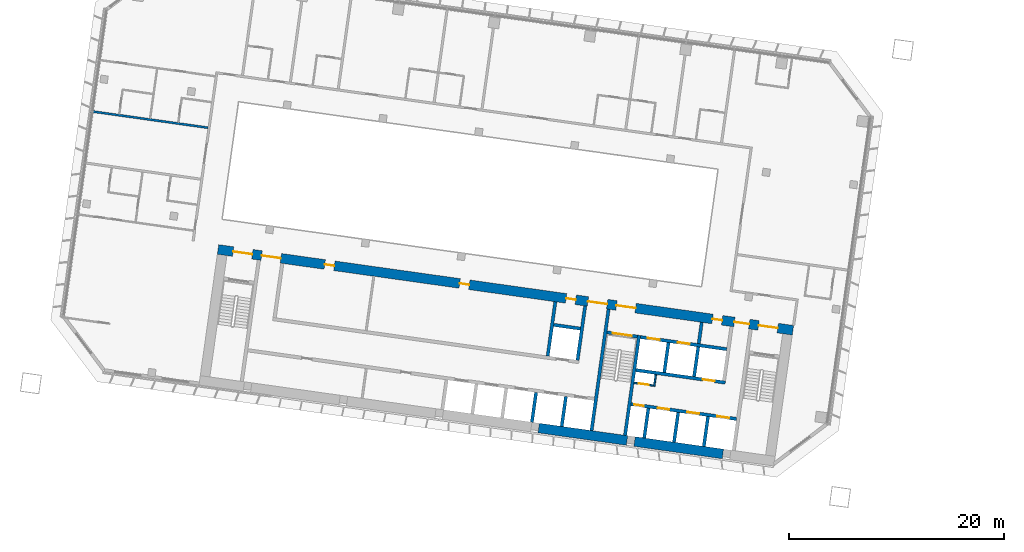
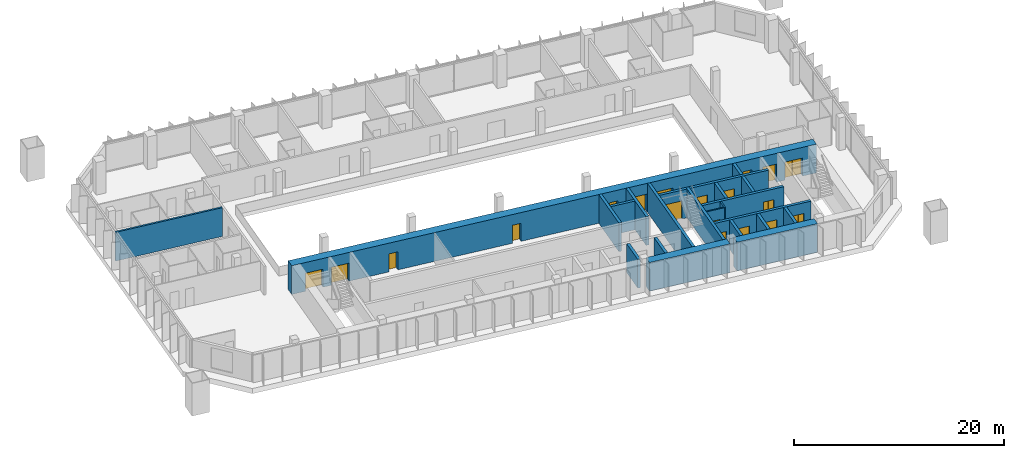
# One storey, part 15 of 24: 23 walls, 19 doors, 19 openings.
"""IFC4 building model written with IfcOpenShell, lengths in metres."""

import ifcopenshell
import ifcopenshell.guid

model = None  # the IFC model being written
_history = None  # IfcOwnerHistory: only IFC2X3 demands one
_inside = {}  # id of a spatial element -> (the spatial element, [elements in it])
_under = {}  # id of a project, library or spatial element -> (it, [spatial elements below it])
_declared = {}  # id of a project -> (the project, [libraries it declares])
_typed = {}  # id of a type object -> (the type object, [elements of that type])
_made_of = {}  # id of a material, layer set ... -> (it, [elements and type objects made of it])


def new_model(schema):
    """Start an empty IFC model of exactly this schema.

    Asked for "IFC4X3", IfcOpenShell would pick the latest addendum, in which some entities
    have other attributes; the version numbers below select the first issue.
    IFC2X3 requires an IfcOwnerHistory on every rooted entity: one is made here for all.
    """
    global model, _history
    if schema == "IFC4X3":
        model = ifcopenshell.file(schema_version=(4, 3, 0, 0))
    else:
        model = ifcopenshell.file(schema=schema)
    _inside.clear()
    _under.clear()
    _declared.clear()
    _typed.clear()
    _made_of.clear()
    _history = None
    if model.schema == "IFC2X3":
        org = make("IfcOrganization", Name="unknown")
        user = make(
            "IfcPersonAndOrganization",
            ThePerson=make("IfcPerson", FamilyName="unknown"),
            TheOrganization=org,
        )
        app = make(
            "IfcApplication",
            ApplicationDeveloper=org,
            Version="unknown",
            ApplicationFullName="unknown",
            ApplicationIdentifier="unknown",
        )
        _history = make(
            "IfcOwnerHistory",
            OwningUser=user,
            OwningApplication=app,
            ChangeAction="ADDED",
            CreationDate=0,
        )
    return model


def make(cls, **values):
    """One entity of the class cls with the attributes given. An attribute that is None is left unset."""
    return model.create_entity(
        cls, **{name: value for name, value in values.items() if value is not None}
    )


def rooted(cls, **values):
    """An entity with a GlobalId (a new one), such as an element, a storey or a relation."""
    return make(cls, GlobalId=ifcopenshell.guid.new(), OwnerHistory=_history, **values)


def si_unit(unit_type, name, prefix=None):
    """IfcSIUnit, for example si_unit("LENGTHUNIT", "METRE", prefix="MILLI")."""
    return make("IfcSIUnit", UnitType=unit_type, Prefix=prefix, Name=name)


def assignment(units):
    """IfcUnitAssignment: the units of a project."""
    return None if units is None else make("IfcUnitAssignment", Units=units)


def point(xyz):
    """IfcCartesianPoint."""
    return None if xyz is None else make("IfcCartesianPoint", Coordinates=xyz)


def direction(xyz):
    """IfcDirection."""
    return None if xyz is None else make("IfcDirection", DirectionRatios=xyz)


def frame(location, z_axis=None, x_axis=None):
    """IfcAxis2Placement3D, a coordinate frame: its origin and axes. An axis left out is left unset."""
    return make(
        "IfcAxis2Placement3D",
        Location=point(location),
        Axis=direction(z_axis),
        RefDirection=direction(x_axis),
    )


def frame_2d(location, x_axis=None):
    """IfcAxis2Placement2D, a coordinate frame in the plane: its origin and x axis."""
    return make(
        "IfcAxis2Placement2D", Location=point(location), RefDirection=direction(x_axis)
    )


def origin():
    """The frame at (0, 0, 0) with its axes left unset."""
    return frame((0.0, 0.0, 0.0))


def place(relative_to, where):
    """IfcLocalPlacement: puts the frame where relative to a parent placement (None: the world)."""
    return make(
        "IfcLocalPlacement", PlacementRelTo=relative_to, RelativePlacement=where
    )


def context(
    kind, dimensions, precision=None, world=None, true_north=None, identifier=None
):
    """IfcGeometricRepresentationContext, for example the 3D "Model" context."""
    return make(
        "IfcGeometricRepresentationContext",
        ContextIdentifier=identifier,
        ContextType=kind,
        CoordinateSpaceDimension=dimensions,
        Precision=precision,
        WorldCoordinateSystem=world,
        TrueNorth=true_north,
    )


def subcontext(parent, identifier, kind, view, scale=None):
    """IfcGeometricRepresentationSubContext, for example "Body" below "Model"."""
    return make(
        "IfcGeometricRepresentationSubContext",
        ContextIdentifier=identifier,
        ContextType=kind,
        ParentContext=parent,
        TargetScale=scale,
        TargetView=view,
    )


def project(units=None, contexts=None):
    """IfcProject with its units and contexts."""
    return rooted(
        "IfcProject",
        Name="project",
        RepresentationContexts=contexts,
        UnitsInContext=assignment(units),
    )


def spatial(cls, under=None, at=None, **own):
    """A site, building, storey or space (cls), placed at a placement, below another one or the project."""
    s = rooted(cls, ObjectPlacement=at, **own)
    if under is not None:
        _under.setdefault(under.id(), (under, []))[1].append(s)
    return s


def profile(cls, at=None, kind="AREA", **sizes):
    """A parametric profile (cls). Its sizes go by their IFC names, for example OverallWidth=200.0."""
    return make(cls, ProfileType=kind, Position=at, **sizes)


def rectangle(**sizes):
    """IfcRectangleProfileDef."""
    return profile("IfcRectangleProfileDef", **sizes)


def extrude(swept, where, along, depth):
    """IfcExtrudedAreaSolid: the profile swept, set in the frame where, extruded along a direction by depth."""
    return make(
        "IfcExtrudedAreaSolid",
        SweptArea=swept,
        Position=where,
        ExtrudedDirection=direction(along),
        Depth=depth,
    )


def shape(context_of_items, identifier, shape_type, items):
    """IfcShapeRepresentation: the items that make up one representation, for example the "Body"."""
    return make(
        "IfcShapeRepresentation",
        ContextOfItems=context_of_items,
        RepresentationIdentifier=identifier,
        RepresentationType=shape_type,
        Items=items,
    )


def material(Name=None, Category=None):
    """IfcMaterial."""
    return make("IfcMaterial", Name=Name, Category=Category)


def layer(
    of_material, thickness, ventilated=None, Name=None, Category=None, Priority=None
):
    """IfcMaterialLayer: one layer of a wall or slab, of a material (None: an air gap)."""
    return make(
        "IfcMaterialLayer",
        Material=of_material,
        LayerThickness=thickness,
        IsVentilated=ventilated,
        Name=Name,
        Category=Category,
        Priority=Priority,
    )


def layer_set(layers, Name=None):
    """IfcMaterialLayerSet."""
    return make("IfcMaterialLayerSet", MaterialLayers=layers, LayerSetName=Name)


def made_of(thing, what):
    """Note that an element or type object is made of a material, layer set ...; save() writes the relation."""
    if what is not None:
        _made_of.setdefault(what.id(), (what, []))[1].append(thing)
    return thing


def type_object(cls, material=None, **own):
    """A type object (cls), such as IfcWallType, which elements share."""
    return made_of(rooted(cls, **own), material)


def element(
    cls,
    number,
    at=None,
    inside=None,
    cuts=None,
    type_object=None,
    material=None,
    context=None,
    identifier="Body",
    shape_type=None,
    held_by="IfcProductDefinitionShape",
    body=None,
    shapes=None,
    **own,
):
    """One element of the class cls, such as IfcWall. Its Tag is "e" and its number.

    at: its placement. inside: the storey or other place that contains it. cuts: it is an
    opening in that element (IfcRelVoidsElement). A single representation is given by context,
    identifier, shape_type and body (its items); several are given by shapes. held_by: the class
    of the entity that holds the representations. save() writes the other relations.
    """
    e = rooted(cls, Tag="e%d" % number, ObjectPlacement=at, **own)
    if body is not None:
        shapes = [shape(context, identifier, shape_type, body)]
    if shapes is not None:
        e.Representation = make(held_by, Representations=shapes)
    if inside is not None:
        _inside.setdefault(inside.id(), (inside, []))[1].append(e)
    if cuts is not None:
        rooted(
            "IfcRelVoidsElement", RelatingBuildingElement=cuts, RelatedOpeningElement=e
        )
    if type_object is not None:
        _typed.setdefault(type_object.id(), (type_object, []))[1].append(e)
    return made_of(e, material)


def fill(opening, filler):
    """IfcRelFillsElement: the door or window that sits in an opening."""
    return rooted(
        "IfcRelFillsElement",
        RelatingOpeningElement=opening,
        RelatedBuildingElement=filler,
    )


def aggregate(whole, parts):
    """IfcRelAggregates: a whole, such as a stair, and the parts it consists of."""
    return rooted("IfcRelAggregates", RelatingObject=whole, RelatedObjects=parts)


def save(model, path):
    """Write the relations noted so far, then the file.

    IfcRelAggregates (storeys below a building ...), IfcRelContainedInSpatialStructure (elements
    in a storey), IfcRelDefinesByType, IfcRelAssociatesMaterial and IfcRelDeclares: one each for
    every whole, place, type object, material and project.
    """
    for whole, parts in _under.values():
        aggregate(whole, parts)
    for where, things in _inside.values():
        rooted(
            "IfcRelContainedInSpatialStructure",
            RelatedElements=things,
            RelatingStructure=where,
        )
    for kind, things in _typed.values():
        rooted("IfcRelDefinesByType", RelatedObjects=things, RelatingType=kind)
    for what, things in _made_of.values():
        rooted("IfcRelAssociatesMaterial", RelatedObjects=things, RelatingMaterial=what)
    for by, libraries in _declared.values():
        rooted("IfcRelDeclares", RelatingContext=by, RelatedDefinitions=libraries)
    model.write(path)


model = new_model("IFC4")

# Units and contexts
model_context = context("Model", 3, precision=1e-05, world=origin(), true_north=direction((0.0, 1.0)))
body_context = subcontext(model_context, "Body", "Model", "MODEL_VIEW")
ifc_project = project(units=[si_unit("LENGTHUNIT", "METRE"), si_unit("AREAUNIT", "SQUARE_METRE"), si_unit("VOLUMEUNIT", "CUBIC_METRE"), si_unit("PLANEANGLEUNIT", "RADIAN"), si_unit("MASSUNIT", "GRAM", prefix="KILO")], contexts=[model_context])

# Site, building, storey
site_placement = place(None, origin())
site = spatial("IfcSite", under=ifc_project, at=site_placement, CompositionType="ELEMENT")
building_placement = place(site_placement, origin())
building = spatial("IfcBuilding", under=site, at=building_placement, Name="Mirante Cascada Hotel Towers", CompositionType="ELEMENT")
storey_placement = place(building_placement, frame((0.0, 0.0, 77.5)))
storey = spatial("IfcBuildingStorey", under=building, at=storey_placement, Name="L16", CompositionType="ELEMENT", Elevation=77.5)

# Walls
ifc_material_1 = material(Name="Fire-rated plasterboard on metal studs")
ifc_layer_1 = layer(ifc_material_1, 0.2)
ifc_layer_set_1 = layer_set([ifc_layer_1], Name="Compartment wall 200 EI 120")
wall_type_1 = type_object("IfcWallType", Name="Compartment wall 200 EI 120", PredefinedType="PARTITIONING", material=ifc_layer_set_1)
wall_1_placement = place(storey_placement, frame((-89.7337, 11.2758, 0.0), z_axis=(0.0, 0.0, 1.0), x_axis=(-0.990268, 0.1391733, 0.0)))
element("IfcWall", 1, at=wall_1_placement, inside=storey, type_object=wall_type_1, Name="Wall 1-L16-09", PredefinedType="PARTITIONING", context=body_context, shape_type="SweptSolid", body=[
    extrude(rectangle(XDim=11.0, YDim=0.2, at=frame_2d((5.5, 0.0))), origin(), (0.0, 0.0, 1.0), 3.35),
])
ifc_material_2 = material(Name="Masonry block", Category="masonry")
ifc_layer_2 = layer(ifc_material_2, 0.15)
ifc_layer_set_2 = layer_set([ifc_layer_2], Name="Core room partition 150 block EI 30")
wall_type_2 = type_object("IfcWallType", Name="Core room partition 150 block EI 30", PredefinedType="PARTITIONING", material=ifc_layer_set_2)
wall_2_placement = place(storey_placement, frame((-48.2295, -12.793, 0.0), z_axis=(0.0, 0.0, 1.0), x_axis=(0.1391935, 0.9902652, 0.0)))
element("IfcWall", 2, at=wall_2_placement, inside=storey, type_object=wall_type_2, Name="Core wall partition T1 L16 2", PredefinedType="PARTITIONING", context=body_context, shape_type="SweptSolid", body=[
    extrude(rectangle(XDim=1.1251, YDim=0.15, at=frame_2d((0.5626, 0.0))), origin(), (0.0, 0.0, 1.0), 3.35),
])

# Wall, opening, door
wall_3_placement = place(storey_placement, frame((-48.2933, -12.7083, 0.0), z_axis=(0.0, 0.0, 1.0), x_axis=(-0.990268, 0.1391734, 0.0)))
wall_3 = element("IfcWall", 3, at=wall_3_placement, inside=storey, type_object=wall_type_2, Name="Core wall partition T1 L16 3", PredefinedType="PARTITIONING", context=body_context, shape_type="SweptSolid", body=[
    extrude(rectangle(XDim=1.8251, YDim=0.15, at=frame_2d((0.9126, 0.0))), origin(), (0.0, 0.0, 1.0), 3.35),
])
opening_1_placement = place(wall_3_placement, frame((0.4625, 0.0, 0.0)))
opening_1 = element("IfcOpeningElement", 4, at=opening_1_placement, cuts=wall_3, Name="Opening D1-16-C23", PredefinedType="OPENING", context=body_context, shape_type="SweptSolid", body=[
    extrude(rectangle(XDim=0.9, YDim=2.1, at=frame_2d((0.45, 1.05))), frame((0.0, 0.075, 0.0), z_axis=(0.0, -1.0, 0.0), x_axis=(1.0, 0.0, 0.0)), (0.0, 0.0, 1.0), 0.15),
])
ifc_material_3 = material(Name="Hollow metal fire door leaf")
door_type_1 = type_object("IfcDoorType", Name="Fire door 900x2100 FD60", OperationType="NOTDEFINED", PredefinedType="DOOR", material=ifc_material_3)
door_1_placement = place(opening_1_placement, origin())
door_1 = element("IfcDoor", 5, at=door_1_placement, inside=storey, type_object=door_type_1, Name="Riser door T1 L16 23", OperationType="SINGLE_SWING_LEFT", OverallHeight=2.1, OverallWidth=0.9, PredefinedType="DOOR", context=body_context, shape_type="SweptSolid", body=[
    extrude(rectangle(XDim=0.9, YDim=2.1, at=frame_2d((0.45, 1.05))), frame((0.0, 0.025, 0.0), z_axis=(0.0, -1.0, 0.0), x_axis=(1.0, 0.0, 0.0)), (0.0, 0.0, 1.0), 0.05),
])
fill(opening_1, door_1)

# Walls
ifc_material_4 = material(Name="Masonry block", Category="masonry")
ifc_layer_3 = layer(ifc_material_4, 0.3)
ifc_layer_set_3 = layer_set([ifc_layer_3], Name="Core wall 300 block EI 120")
wall_type_3 = type_object("IfcWallType", Name="Core wall 300 block EI 120", PredefinedType="PARTITIONING", material=ifc_layer_set_3)
wall_4_placement = place(storey_placement, frame((-44.0843, -8.8061, 0.0), z_axis=(0.0, 0.0, 1.0), x_axis=(0.1391951, 0.990265, 0.0)))
element("IfcWall", 6, at=wall_4_placement, inside=storey, type_object=wall_type_3, Name="Core wall partition T1 L16 1", PredefinedType="PARTITIONING", context=body_context, shape_type="SweptSolid", body=[
    extrude(rectangle(XDim=2.0001, YDim=0.3, at=frame_2d((1.0001, 0.0))), origin(), (0.0, 0.0, 1.0), 3.35),
])
ifc_material_5 = material(Name="Concrete C50/60", Category="concrete")
ifc_layer_4 = layer(ifc_material_5, 0.3)
ifc_layer_set_4 = layer_set([ifc_layer_4], Name="RC core wall 300 C50/60")
wall_type_4 = type_object("IfcWallType", Name="RC core wall 300 C50/60", PredefinedType="SHEAR", material=ifc_layer_set_4)
wall_5_placement = place(storey_placement, frame((-50.938, -17.3352, 0.0), z_axis=(0.0, 0.0, 1.0), x_axis=(0.1391706, 0.9902684, 0.0)))
element("IfcWall", 7, at=wall_5_placement, inside=storey, type_object=wall_type_4, Name="Core wall T1:L16:6", PredefinedType="SHEAR", context=body_context, shape_type="SweptSolid", body=[
    extrude(rectangle(XDim=9.4, YDim=0.3, at=frame_2d((4.7, 0.0))), origin(), (0.0, 0.0, 1.0), 3.35),
])
wall_6_placement = place(storey_placement, frame((-54.0574, -16.8968, 0.0), z_axis=(0.0, 0.0, 1.0), x_axis=(0.1391761, 0.9902677, 0.0)))
element("IfcWall", 8, at=wall_6_placement, inside=storey, type_object=wall_type_4, Name="Core wall T1:L16:7", PredefinedType="SHEAR", context=body_context, shape_type="SweptSolid", body=[
    extrude(rectangle(XDim=11.3999, YDim=0.3, at=frame_2d((5.7, 0.0))), origin(), (0.0, 0.0, 1.0), 3.35),
])

# Wall, opening, door
wall_7_placement = place(storey_placement, frame((-49.7992, -8.1544, 0.0), z_axis=(0.0, 0.0, 1.0), x_axis=(-0.9902656, 0.1391909, 0.0)))
wall_7 = element("IfcWall", 9, at=wall_7_placement, inside=storey, type_object=wall_type_4, Name="Core wall T1:L16:10", PredefinedType="SHEAR", context=body_context, shape_type="SweptSolid", body=[
    extrude(rectangle(XDim=2.85, YDim=0.3, at=frame_2d((1.425, 0.0))), origin(), (0.0, 0.0, 1.0), 3.35),
])
opening_2_placement = place(wall_7_placement, frame((0.525, 0.0, 0.0)))
opening_2 = element("IfcOpeningElement", 10, at=opening_2_placement, cuts=wall_7, Name="Opening D1-16-C15", PredefinedType="OPENING", context=body_context, shape_type="SweptSolid", body=[
    extrude(rectangle(XDim=1.8, YDim=2.1, at=frame_2d((0.9, 1.05))), frame((0.0, 0.15, 0.0), z_axis=(0.0, -1.0, 0.0), x_axis=(1.0, 0.0, 0.0)), (0.0, 0.0, 1.0), 0.3),
])
ifc_material_6 = material(Name="Hollow metal fire door leaf")
door_type_2 = type_object("IfcDoorType", Name="Double fire door 1800x2100 FD60", OperationType="DOUBLE_DOOR_SINGLE_SWING", PredefinedType="DOOR", material=ifc_material_6)
door_2_placement = place(opening_2_placement, origin())
door_2 = element("IfcDoor", 11, at=door_2_placement, inside=storey, type_object=door_type_2, Name="Stair door T1 L16 15", OperationType="DOUBLE_DOOR_SINGLE_SWING", OverallHeight=2.1, OverallWidth=1.8, PredefinedType="DOOR", context=body_context, shape_type="SweptSolid", body=[
    extrude(rectangle(XDim=0.895, YDim=2.1, at=frame_2d((0.4475, 1.05))), frame((0.0, 0.025, 0.0), z_axis=(0.0, -1.0, 0.0), x_axis=(1.0, 0.0, 0.0)), (0.0, 0.0, 1.0), 0.05),
    extrude(rectangle(XDim=0.895, YDim=2.1, at=frame_2d((1.3525, 1.05))), frame((0.0, 0.025, 0.0), z_axis=(0.0, -1.0, 0.0), x_axis=(1.0, 0.0, 0.0)), (0.0, 0.0, 1.0), 0.05),
])
fill(opening_2, door_2)

# Wall, openings, doors
wall_8_placement = place(storey_placement, frame((-40.5753, -15.8126, 0.0), z_axis=(0.0, 0.0, 1.0), x_axis=(-0.9902682, 0.1391725, 0.0)))
wall_8 = element("IfcWall", 12, at=wall_8_placement, inside=storey, type_object=wall_type_4, Name="Core wall T1:L16:12", PredefinedType="SHEAR", context=body_context, shape_type="SweptSolid", body=[
    extrude(rectangle(XDim=9.8999, YDim=0.3, at=frame_2d((4.95, 0.0))), origin(), (0.0, 0.0, 1.0), 3.35),
])
opening_3_placement = place(wall_8_placement, frame((0.7, 0.0, 0.0)))
opening_3 = element("IfcOpeningElement", 13, at=opening_3_placement, cuts=wall_8, Name="Opening LD", PredefinedType="OPENING", context=body_context, shape_type="SweptSolid", body=[
    extrude(rectangle(XDim=1.1, YDim=2.1, at=frame_2d((0.55, 1.05))), frame((0.0, 0.15, 0.0), z_axis=(0.0, -1.0, 0.0), x_axis=(1.0, 0.0, 0.0)), (0.0, 0.0, 1.0), 0.3),
])
opening_4_placement = place(wall_8_placement, frame((3.5, 0.0, 0.0)))
opening_4 = element("IfcOpeningElement", 14, at=opening_4_placement, cuts=wall_8, Name="Opening LD", PredefinedType="OPENING", context=body_context, shape_type="SweptSolid", body=[
    extrude(rectangle(XDim=1.1, YDim=2.1, at=frame_2d((0.55, 1.05))), frame((0.0, 0.15, 0.0), z_axis=(0.0, -1.0, 0.0), x_axis=(1.0, 0.0, 0.0)), (0.0, 0.0, 1.0), 0.3),
])
opening_5_placement = place(wall_8_placement, frame((6.3, 0.0, 0.0)))
opening_5 = element("IfcOpeningElement", 15, at=opening_5_placement, cuts=wall_8, Name="Opening LD", PredefinedType="OPENING", context=body_context, shape_type="SweptSolid", body=[
    extrude(rectangle(XDim=1.1, YDim=2.1, at=frame_2d((0.55, 1.05))), frame((0.0, 0.15, 0.0), z_axis=(0.0, -1.0, 0.0), x_axis=(1.0, 0.0, 0.0)), (0.0, 0.0, 1.0), 0.3),
])
opening_6_placement = place(wall_8_placement, frame((8.7, 0.0, 0.0)))
opening_6 = element("IfcOpeningElement", 16, at=opening_6_placement, cuts=wall_8, Name="Opening D1-16-C22", PredefinedType="OPENING", context=body_context, shape_type="SweptSolid", body=[
    extrude(rectangle(XDim=0.9, YDim=2.1, at=frame_2d((0.45, 1.05))), frame((0.0, 0.15, 0.0), z_axis=(0.0, -1.0, 0.0), x_axis=(1.0, 0.0, 0.0)), (0.0, 0.0, 1.0), 0.3),
])
door_3_placement = place(opening_6_placement, origin())
door_3 = element("IfcDoor", 17, at=door_3_placement, inside=storey, type_object=door_type_1, Name="Riser door T1 L16 22", OperationType="SINGLE_SWING_LEFT", OverallHeight=2.1, OverallWidth=0.9, PredefinedType="DOOR", context=body_context, shape_type="SweptSolid", body=[
    extrude(rectangle(XDim=0.9, YDim=2.1, at=frame_2d((0.45, 1.05))), frame((0.0, 0.025, 0.0), z_axis=(0.0, -1.0, 0.0), x_axis=(1.0, 0.0, 0.0)), (0.0, 0.0, 1.0), 0.05),
])
fill(opening_6, door_3)
ifc_material_7 = material(Name="Stainless steel", Category="steel")
door_type_3 = type_object("IfcDoorType", Name="Lift landing door 1100x2100 EI 120", OperationType="DOUBLE_DOOR_SLIDING", PredefinedType="DOOR", material=ifc_material_7)
door_4_placement = place(opening_3_placement, origin())
door_4 = element("IfcDoor", 18, at=door_4_placement, inside=storey, type_object=door_type_3, Name="Lift landing door HR1-1 L16", OperationType="DOUBLE_DOOR_SLIDING", OverallHeight=2.1, OverallWidth=1.1, PredefinedType="DOOR", context=body_context, shape_type="SweptSolid", body=[
    extrude(rectangle(XDim=0.545, YDim=2.1, at=frame_2d((0.2725, 1.05))), frame((0.0, 0.025, 0.0), z_axis=(0.0, -1.0, 0.0), x_axis=(1.0, 0.0, 0.0)), (0.0, 0.0, 1.0), 0.05),
    extrude(rectangle(XDim=0.545, YDim=2.1, at=frame_2d((0.8275, 1.05))), frame((0.0, 0.025, 0.0), z_axis=(0.0, -1.0, 0.0), x_axis=(1.0, 0.0, 0.0)), (0.0, 0.0, 1.0), 0.05),
])
fill(opening_3, door_4)
door_5_placement = place(opening_4_placement, origin())
door_5 = element("IfcDoor", 19, at=door_5_placement, inside=storey, type_object=door_type_3, Name="Lift landing door HR1-2 L16", OperationType="DOUBLE_DOOR_SLIDING", OverallHeight=2.1, OverallWidth=1.1, PredefinedType="DOOR", context=body_context, shape_type="SweptSolid", body=[
    extrude(rectangle(XDim=0.545, YDim=2.1, at=frame_2d((0.2725, 1.05))), frame((0.0, 0.025, 0.0), z_axis=(0.0, -1.0, 0.0), x_axis=(1.0, 0.0, 0.0)), (0.0, 0.0, 1.0), 0.05),
    extrude(rectangle(XDim=0.545, YDim=2.1, at=frame_2d((0.8275, 1.05))), frame((0.0, 0.025, 0.0), z_axis=(0.0, -1.0, 0.0), x_axis=(1.0, 0.0, 0.0)), (0.0, 0.0, 1.0), 0.05),
])
fill(opening_4, door_5)
door_6_placement = place(opening_5_placement, origin())
door_6 = element("IfcDoor", 20, at=door_6_placement, inside=storey, type_object=door_type_3, Name="Lift landing door HR1-3 L16", OperationType="DOUBLE_DOOR_SLIDING", OverallHeight=2.1, OverallWidth=1.1, PredefinedType="DOOR", context=body_context, shape_type="SweptSolid", body=[
    extrude(rectangle(XDim=0.545, YDim=2.1, at=frame_2d((0.2725, 1.05))), frame((0.0, 0.025, 0.0), z_axis=(0.0, -1.0, 0.0), x_axis=(1.0, 0.0, 0.0)), (0.0, 0.0, 1.0), 0.05),
    extrude(rectangle(XDim=0.545, YDim=2.1, at=frame_2d((0.8275, 1.05))), frame((0.0, 0.025, 0.0), z_axis=(0.0, -1.0, 0.0), x_axis=(1.0, 0.0, 0.0)), (0.0, 0.0, 1.0), 0.05),
])
fill(opening_5, door_6)

# Wall, opening, door
wall_9_placement = place(storey_placement, frame((-41.6153, -12.435, 0.0), z_axis=(0.0, 0.0, 1.0), x_axis=(-0.9902691, 0.139166, 0.0)))
wall_9 = element("IfcWall", 21, at=wall_9_placement, inside=storey, type_object=wall_type_4, Name="Core wall T1:L16:13", PredefinedType="SHEAR", context=body_context, shape_type="SweptSolid", body=[
    extrude(rectangle(XDim=8.4, YDim=0.3, at=frame_2d((4.2, 0.0))), origin(), (0.0, 0.0, 1.0), 3.35),
])
opening_7_placement = place(wall_9_placement, frame((1.0, 0.0, 0.0)))
opening_7 = element("IfcOpeningElement", 22, at=opening_7_placement, cuts=wall_9, Name="Opening LD", PredefinedType="OPENING", context=body_context, shape_type="SweptSolid", body=[
    extrude(rectangle(XDim=1.1, YDim=2.1, at=frame_2d((0.55, 1.05))), frame((0.0, 0.15, 0.0), z_axis=(0.0, -1.0, 0.0), x_axis=(1.0, 0.0, 0.0)), (0.0, 0.0, 1.0), 0.3),
])
door_7_placement = place(opening_7_placement, origin())
door_7 = element("IfcDoor", 23, at=door_7_placement, inside=storey, type_object=door_type_3, Name="Lift landing door HR1-4 L16", OperationType="DOUBLE_DOOR_SLIDING", OverallHeight=2.1, OverallWidth=1.1, PredefinedType="DOOR", context=body_context, shape_type="SweptSolid", body=[
    extrude(rectangle(XDim=0.545, YDim=2.1, at=frame_2d((0.2725, 1.05))), frame((0.0, 0.025, 0.0), z_axis=(0.0, -1.0, 0.0), x_axis=(1.0, 0.0, 0.0)), (0.0, 0.0, 1.0), 0.05),
    extrude(rectangle(XDim=0.545, YDim=2.1, at=frame_2d((0.8275, 1.05))), frame((0.0, 0.025, 0.0), z_axis=(0.0, -1.0, 0.0), x_axis=(1.0, 0.0, 0.0)), (0.0, 0.0, 1.0), 0.05),
])
fill(opening_7, door_7)

# Wall, openings, doors
wall_10_placement = place(storey_placement, frame((-41.481, -9.3234, 0.0), z_axis=(0.0, 0.0, 1.0), x_axis=(-0.9902679, 0.1391741, 0.0)))
wall_10 = element("IfcWall", 24, at=wall_10_placement, inside=storey, type_object=wall_type_4, Name="Core wall T1:L16:14", PredefinedType="SHEAR", context=body_context, shape_type="SweptSolid", body=[
    extrude(rectangle(XDim=8.0999, YDim=0.3, at=frame_2d((4.05, 0.0))), origin(), (0.0, 0.0, 1.0), 3.35),
])
opening_8_placement = place(wall_10_placement, frame((3.5, 0.0, 0.0)))
opening_8 = element("IfcOpeningElement", 25, at=opening_8_placement, cuts=wall_10, Name="Opening LD", PredefinedType="OPENING", context=body_context, shape_type="SweptSolid", body=[
    extrude(rectangle(XDim=1.1, YDim=2.1, at=frame_2d((0.55, 1.05))), frame((0.0, 0.15, 0.0), z_axis=(0.0, -1.0, 0.0), x_axis=(1.0, 0.0, 0.0)), (0.0, 0.0, 1.0), 0.3),
])
opening_9_placement = place(wall_10_placement, frame((6.3, 0.0, 0.0)))
opening_9 = element("IfcOpeningElement", 26, at=opening_9_placement, cuts=wall_10, Name="Opening LD", PredefinedType="OPENING", context=body_context, shape_type="SweptSolid", body=[
    extrude(rectangle(XDim=1.1, YDim=2.1, at=frame_2d((0.55, 1.05))), frame((0.0, 0.15, 0.0), z_axis=(0.0, -1.0, 0.0), x_axis=(1.0, 0.0, 0.0)), (0.0, 0.0, 1.0), 0.3),
])
door_8_placement = place(opening_8_placement, origin())
door_8 = element("IfcDoor", 27, at=door_8_placement, inside=storey, type_object=door_type_3, Name="Lift landing door FF1 L16", OperationType="DOUBLE_DOOR_SLIDING", OverallHeight=2.1, OverallWidth=1.1, PredefinedType="DOOR", context=body_context, shape_type="SweptSolid", body=[
    extrude(rectangle(XDim=0.545, YDim=2.1, at=frame_2d((0.2725, 1.05))), frame((0.0, 0.025, 0.0), z_axis=(0.0, -1.0, 0.0), x_axis=(1.0, 0.0, 0.0)), (0.0, 0.0, 1.0), 0.05),
    extrude(rectangle(XDim=0.545, YDim=2.1, at=frame_2d((0.8275, 1.05))), frame((0.0, 0.025, 0.0), z_axis=(0.0, -1.0, 0.0), x_axis=(1.0, 0.0, 0.0)), (0.0, 0.0, 1.0), 0.05),
])
fill(opening_8, door_8)
door_9_placement = place(opening_9_placement, origin())
door_9 = element("IfcDoor", 28, at=door_9_placement, inside=storey, type_object=door_type_3, Name="Lift landing door FF2 L16", OperationType="DOUBLE_DOOR_SLIDING", OverallHeight=2.1, OverallWidth=1.1, PredefinedType="DOOR", context=body_context, shape_type="SweptSolid", body=[
    extrude(rectangle(XDim=0.545, YDim=2.1, at=frame_2d((0.2725, 1.05))), frame((0.0, 0.025, 0.0), z_axis=(0.0, -1.0, 0.0), x_axis=(1.0, 0.0, 0.0)), (0.0, 0.0, 1.0), 0.05),
    extrude(rectangle(XDim=0.545, YDim=2.1, at=frame_2d((0.8275, 1.05))), frame((0.0, 0.025, 0.0), z_axis=(0.0, -1.0, 0.0), x_axis=(1.0, 0.0, 0.0)), (0.0, 0.0, 1.0), 0.05),
])
fill(opening_9, door_9)

# Walls
wall_11_placement = place(storey_placement, frame((-43.61, -18.3651, 0.0), z_axis=(0.0, 0.0, 1.0), x_axis=(0.1391459, 0.9902719, 0.0)))
element("IfcWall", 29, at=wall_11_placement, inside=storey, type_object=wall_type_4, Name="Core wall T1:L16:15", PredefinedType="SHEAR", context=body_context, shape_type="SweptSolid", body=[
    extrude(rectangle(XDim=2.7999, YDim=0.3, at=frame_2d((1.4, 0.0))), origin(), (0.0, 0.0, 1.0), 3.35),
])
wall_12_placement = place(storey_placement, frame((-46.3828, -17.9754, 0.0), z_axis=(0.0, 0.0, 1.0), x_axis=(0.139181, 0.990267, 0.0)))
element("IfcWall", 30, at=wall_12_placement, inside=storey, type_object=wall_type_4, Name="Core wall T1:L16:16", PredefinedType="SHEAR", context=body_context, shape_type="SweptSolid", body=[
    extrude(rectangle(XDim=2.8, YDim=0.3, at=frame_2d((1.4, 0.0))), origin(), (0.0, 0.0, 1.0), 3.35),
])
wall_13_placement = place(storey_placement, frame((-49.1555, -17.5857, 0.0), z_axis=(0.0, 0.0, 1.0), x_axis=(0.1391459, 0.9902719, 0.0)))
element("IfcWall", 31, at=wall_13_placement, inside=storey, type_object=wall_type_4, Name="Core wall T1:L16:17", PredefinedType="SHEAR", context=body_context, shape_type="SweptSolid", body=[
    extrude(rectangle(XDim=2.7999, YDim=0.3, at=frame_2d((1.4, 0.0))), origin(), (0.0, 0.0, 1.0), 3.35),
])
for number, where, z_axis, x_axis, name in (
    (32, (-44.5157, -11.8759, 0.0), (0.0, 0.0, 1.0), (0.139181, 0.990267, 0.0), "Core wall T1:L16:18"),
    (33, (-47.2885, -11.4862, 0.0), (0.0, 0.0, 1.0), (0.139181, 0.990267, 0.0), "Core wall T1:L16:19"),
):
    element("IfcWall", number, at=place(storey_placement, frame(where, z_axis=z_axis, x_axis=x_axis)), inside=storey, type_object=wall_type_4, Name=name, PredefinedType="SHEAR", context=body_context, shape_type="SweptSolid", body=[
        extrude(rectangle(XDim=2.8, YDim=0.3, at=frame_2d((1.4, 0.0))), origin(), (0.0, 0.0, 1.0), 3.35),
    ])
for number, where, z_axis, x_axis, name in (
    (34, (-56.8301, -16.5072, 0.0), (0.0, 0.0, 1.0), (0.139176, 0.9902677, 0.0), "Core wall T1:L16:25"),
    (35, (-59.6029, -16.1175, 0.0), (0.0, 0.0, 1.0), (0.139176, 0.9902677, 0.0), "Core wall T1:L16:26"),
):
    element("IfcWall", number, at=place(storey_placement, frame(where, z_axis=z_axis, x_axis=x_axis)), inside=storey, type_object=wall_type_4, Name=name, PredefinedType="SHEAR", context=body_context, shape_type="SweptSolid", body=[
        extrude(rectangle(XDim=2.8001, YDim=0.3, at=frame_2d((1.4, 0.0))), origin(), (0.0, 0.0, 1.0), 3.35),
    ])
for number, where, z_axis, x_axis, name in (
    (36, (-55.3592, -10.352, 0.0), (0.0, 0.0, 1.0), (0.1391755, 0.9902677, 0.0), "Core wall T1:L16:32"),
    (37, (-58.1319, -9.9623, 0.0), (0.0, 0.0, 1.0), (0.1391755, 0.9902677, 0.0), "Core wall T1:L16:34"),
):
    element("IfcWall", number, at=place(storey_placement, frame(where, z_axis=z_axis, x_axis=x_axis)), inside=storey, type_object=wall_type_4, Name=name, PredefinedType="SHEAR", context=body_context, shape_type="SweptSolid", body=[
        extrude(rectangle(XDim=5.1, YDim=0.3, at=frame_2d((2.55, 0.0))), origin(), (0.0, 0.0, 1.0), 3.35),
    ])
wall_14_placement = place(storey_placement, frame((-55.0971, -7.4098, 0.0), z_axis=(0.0, 0.0, 1.0), x_axis=(-0.9902701, 0.1391586, 0.0)))
element("IfcWall", 38, at=wall_14_placement, inside=storey, type_object=wall_type_4, Name="Core wall T1:L16:35", PredefinedType="SHEAR", context=body_context, shape_type="SweptSolid", body=[
    extrude(rectangle(XDim=2.5, YDim=0.3, at=frame_2d((1.25, 0.0))), origin(), (0.0, 0.0, 1.0), 3.35),
])
ifc_material_8 = material(Name="Concrete C50/60", Category="concrete")
ifc_layer_5 = layer(ifc_material_8, 0.9)
ifc_layer_set_5 = layer_set([ifc_layer_5], Name="RC core wall 900 C50/60")
wall_type_5 = type_object("IfcWallType", Name="RC core wall 900 C50/60", PredefinedType="SHEAR", material=ifc_layer_set_5)
for number, where, z_axis, x_axis, name in (
    (39, (-41.8407, -19.0682, 0.0), (0.0, 0.0, 1.0), (-0.9902686, 0.1391692, 0.0), "Core wall T1:L16:1.2"),
    (40, (-50.7531, -17.8156, 0.0), (0.0, 0.0, 1.0), (-0.9902686, 0.1391692, 0.0), "Core wall T1:L16:1.3"),
):
    element("IfcWall", number, at=place(storey_placement, frame(where, z_axis=z_axis, x_axis=x_axis)), inside=storey, type_object=wall_type_5, Name=name, PredefinedType="SHEAR", context=body_context, shape_type="SweptSolid", body=[
        extrude(rectangle(XDim=8.3, YDim=0.9, at=frame_2d((4.15, 0.0))), origin(), (0.0, 0.0, 1.0), 3.35),
    ])

# Wall, openings, doors
wall_15_placement = place(storey_placement, frame((-35.326, -7.5629, 0.0), z_axis=(0.0, 0.0, 1.0), x_axis=(-0.9902679, 0.139174, 0.0)))
wall_15 = element("IfcWall", 41, at=wall_15_placement, inside=storey, type_object=wall_type_5, Name="Core wall T1:L16:2", PredefinedType="SHEAR", context=body_context, shape_type="SweptSolid", body=[
    extrude(rectangle(XDim=54.0, YDim=0.9, at=frame_2d((27.0, 0.0))), origin(), (0.0, 0.0, 1.0), 3.35),
])
opening_10_placement = place(wall_15_placement, frame((1.425, 0.0, 0.0)))
opening_10 = element("IfcOpeningElement", 42, at=opening_10_placement, cuts=wall_15, Name="Opening D1-16-C14", PredefinedType="OPENING", context=body_context, shape_type="SweptSolid", body=[
    extrude(rectangle(XDim=1.8, YDim=2.1, at=frame_2d((0.9, 1.05))), frame((0.0, 0.45, 0.0), z_axis=(0.0, -1.0, 0.0), x_axis=(1.0, 0.0, 0.0)), (0.0, 0.0, 1.0), 0.9),
])
opening_11_placement = place(wall_15_placement, frame((14.775, 0.0, 0.0)))
opening_11 = element("IfcOpeningElement", 43, at=opening_11_placement, cuts=wall_15, Name="Opening D1-16-C16", PredefinedType="OPENING", context=body_context, shape_type="SweptSolid", body=[
    extrude(rectangle(XDim=1.8, YDim=2.1, at=frame_2d((0.9, 1.05))), frame((0.0, 0.45, 0.0), z_axis=(0.0, -1.0, 0.0), x_axis=(1.0, 0.0, 0.0)), (0.0, 0.0, 1.0), 0.9),
])
opening_12_placement = place(wall_15_placement, frame((50.775, 0.0, 0.0)))
opening_12 = element("IfcOpeningElement", 44, at=opening_12_placement, cuts=wall_15, Name="Opening D1-16-C18", PredefinedType="OPENING", context=body_context, shape_type="SweptSolid", body=[
    extrude(rectangle(XDim=1.8, YDim=2.1, at=frame_2d((0.9, 1.05))), frame((0.0, 0.45, 0.0), z_axis=(0.0, -1.0, 0.0), x_axis=(1.0, 0.0, 0.0)), (0.0, 0.0, 1.0), 0.9),
])
opening_13_placement = place(wall_15_placement, frame((4.1, 0.0, 0.0)))
opening_13 = element("IfcOpeningElement", 45, at=opening_13_placement, cuts=wall_15, Name="Opening D1-16-C19", PredefinedType="OPENING", context=body_context, shape_type="SweptSolid", body=[
    extrude(rectangle(XDim=1.4, YDim=2.1, at=frame_2d((0.7, 1.05))), frame((0.0, 0.45, 0.0), z_axis=(0.0, -1.0, 0.0), x_axis=(1.0, 0.0, 0.0)), (0.0, 0.0, 1.0), 0.9),
])
opening_14_placement = place(wall_15_placement, frame((17.45, 0.0, 0.0)))
opening_14 = element("IfcOpeningElement", 46, at=opening_14_placement, cuts=wall_15, Name="Opening D1-16-C20", PredefinedType="OPENING", context=body_context, shape_type="SweptSolid", body=[
    extrude(rectangle(XDim=1.8, YDim=2.1, at=frame_2d((0.9, 1.05))), frame((0.0, 0.45, 0.0), z_axis=(0.0, -1.0, 0.0), x_axis=(1.0, 0.0, 0.0)), (0.0, 0.0, 1.0), 0.9),
])
opening_15_placement = place(wall_15_placement, frame((48.1, 0.0, 0.0)))
opening_15 = element("IfcOpeningElement", 47, at=opening_15_placement, cuts=wall_15, Name="Opening D1-16-C21", PredefinedType="OPENING", context=body_context, shape_type="SweptSolid", body=[
    extrude(rectangle(XDim=1.8, YDim=2.1, at=frame_2d((0.9, 1.05))), frame((0.0, 0.45, 0.0), z_axis=(0.0, -1.0, 0.0), x_axis=(1.0, 0.0, 0.0)), (0.0, 0.0, 1.0), 0.9),
])
opening_16_placement = place(wall_15_placement, frame((6.65, 0.0, 0.0)))
opening_16 = element("IfcOpeningElement", 48, at=opening_16_placement, cuts=wall_15, Name="Opening D1-16-C24", PredefinedType="OPENING", context=body_context, shape_type="SweptSolid", body=[
    extrude(rectangle(XDim=0.9, YDim=2.1, at=frame_2d((0.45, 1.05))), frame((0.0, 0.45, 0.0), z_axis=(0.0, -1.0, 0.0), x_axis=(1.0, 0.0, 0.0)), (0.0, 0.0, 1.0), 0.9),
])
opening_17_placement = place(wall_15_placement, frame((20.4, 0.0, 0.0)))
opening_17 = element("IfcOpeningElement", 49, at=opening_17_placement, cuts=wall_15, Name="Opening D1-16-C27", PredefinedType="OPENING", context=body_context, shape_type="SweptSolid", body=[
    extrude(rectangle(XDim=0.9, YDim=2.1, at=frame_2d((0.45, 1.05))), frame((0.0, 0.45, 0.0), z_axis=(0.0, -1.0, 0.0), x_axis=(1.0, 0.0, 0.0)), (0.0, 0.0, 1.0), 0.9),
])
opening_18_placement = place(wall_15_placement, frame((30.4, 0.0, 0.0)))
opening_18 = element("IfcOpeningElement", 50, at=opening_18_placement, cuts=wall_15, Name="Opening D1-16-C28", PredefinedType="OPENING", context=body_context, shape_type="SweptSolid", body=[
    extrude(rectangle(XDim=0.9, YDim=2.1, at=frame_2d((0.45, 1.05))), frame((0.0, 0.45, 0.0), z_axis=(0.0, -1.0, 0.0), x_axis=(1.0, 0.0, 0.0)), (0.0, 0.0, 1.0), 0.9),
])
opening_19_placement = place(wall_15_placement, frame((43.075, 0.0, 0.0)))
opening_19 = element("IfcOpeningElement", 51, at=opening_19_placement, cuts=wall_15, Name="Opening D1-16-C29", PredefinedType="OPENING", context=body_context, shape_type="SweptSolid", body=[
    extrude(rectangle(XDim=0.9, YDim=2.1, at=frame_2d((0.45, 1.05))), frame((0.0, 0.45, 0.0), z_axis=(0.0, -1.0, 0.0), x_axis=(1.0, 0.0, 0.0)), (0.0, 0.0, 1.0), 0.9),
])
ifc_material_9 = material(Name="Hollow metal fire door leaf")
door_type_4 = type_object("IfcDoorType", Name="Double fire door 1400x2100 FD60", OperationType="DOUBLE_DOOR_SINGLE_SWING", PredefinedType="DOOR", material=ifc_material_9)
door_10_placement = place(opening_13_placement, frame((1.4, 0.0, 0.0), z_axis=(0.0, 0.0, 1.0), x_axis=(-1.0, 0.0, 0.0)))
door_10 = element("IfcDoor", 52, at=door_10_placement, inside=storey, type_object=door_type_4, Name="Exit door to gallery T1 L16 19", OperationType="DOUBLE_DOOR_SINGLE_SWING", OverallHeight=2.1, OverallWidth=1.4, PredefinedType="DOOR", context=body_context, shape_type="SweptSolid", body=[
    extrude(rectangle(XDim=0.695, YDim=2.1, at=frame_2d((0.3475, 1.05))), frame((0.0, 0.025, 0.0), z_axis=(0.0, -1.0, 0.0), x_axis=(1.0, 0.0, 0.0)), (0.0, 0.0, 1.0), 0.05),
    extrude(rectangle(XDim=0.695, YDim=2.1, at=frame_2d((1.0525, 1.05))), frame((0.0, 0.025, 0.0), z_axis=(0.0, -1.0, 0.0), x_axis=(1.0, 0.0, 0.0)), (0.0, 0.0, 1.0), 0.05),
])
fill(opening_13, door_10)
door_11_placement = place(opening_10_placement, origin())
door_11 = element("IfcDoor", 53, at=door_11_placement, inside=storey, type_object=door_type_2, Name="Exit door to gallery T1 L16 14", OperationType="DOUBLE_DOOR_SINGLE_SWING", OverallHeight=2.1, OverallWidth=1.8, PredefinedType="DOOR", context=body_context, shape_type="SweptSolid", body=[
    extrude(rectangle(XDim=0.895, YDim=2.1, at=frame_2d((0.4475, 1.05))), frame((0.0, 0.025, 0.0), z_axis=(0.0, -1.0, 0.0), x_axis=(1.0, 0.0, 0.0)), (0.0, 0.0, 1.0), 0.05),
    extrude(rectangle(XDim=0.895, YDim=2.1, at=frame_2d((1.3525, 1.05))), frame((0.0, 0.025, 0.0), z_axis=(0.0, -1.0, 0.0), x_axis=(1.0, 0.0, 0.0)), (0.0, 0.0, 1.0), 0.05),
])
fill(opening_10, door_11)
door_12_placement = place(opening_11_placement, origin())
door_12 = element("IfcDoor", 54, at=door_12_placement, inside=storey, type_object=door_type_2, Name="Exit door to gallery T1 L16 16", OperationType="DOUBLE_DOOR_SINGLE_SWING", OverallHeight=2.1, OverallWidth=1.8, PredefinedType="DOOR", context=body_context, shape_type="SweptSolid", body=[
    extrude(rectangle(XDim=0.895, YDim=2.1, at=frame_2d((0.4475, 1.05))), frame((0.0, 0.025, 0.0), z_axis=(0.0, -1.0, 0.0), x_axis=(1.0, 0.0, 0.0)), (0.0, 0.0, 1.0), 0.05),
    extrude(rectangle(XDim=0.895, YDim=2.1, at=frame_2d((1.3525, 1.05))), frame((0.0, 0.025, 0.0), z_axis=(0.0, -1.0, 0.0), x_axis=(1.0, 0.0, 0.0)), (0.0, 0.0, 1.0), 0.05),
])
fill(opening_11, door_12)
door_13_placement = place(opening_12_placement, origin())
door_13 = element("IfcDoor", 55, at=door_13_placement, inside=storey, type_object=door_type_2, Name="Exit door to gallery T1 L16 18", OperationType="DOUBLE_DOOR_SINGLE_SWING", OverallHeight=2.1, OverallWidth=1.8, PredefinedType="DOOR", context=body_context, shape_type="SweptSolid", body=[
    extrude(rectangle(XDim=0.895, YDim=2.1, at=frame_2d((0.4475, 1.05))), frame((0.0, 0.025, 0.0), z_axis=(0.0, -1.0, 0.0), x_axis=(1.0, 0.0, 0.0)), (0.0, 0.0, 1.0), 0.05),
    extrude(rectangle(XDim=0.895, YDim=2.1, at=frame_2d((1.3525, 1.05))), frame((0.0, 0.025, 0.0), z_axis=(0.0, -1.0, 0.0), x_axis=(1.0, 0.0, 0.0)), (0.0, 0.0, 1.0), 0.05),
])
fill(opening_12, door_13)
door_14_placement = place(opening_14_placement, frame((1.8, 0.0, 0.0), z_axis=(0.0, 0.0, 1.0), x_axis=(-1.0, 0.0, 0.0)))
door_14 = element("IfcDoor", 56, at=door_14_placement, inside=storey, type_object=door_type_2, Name="Exit door to gallery T1 L16 20", OperationType="DOUBLE_DOOR_SINGLE_SWING", OverallHeight=2.1, OverallWidth=1.8, PredefinedType="DOOR", context=body_context, shape_type="SweptSolid", body=[
    extrude(rectangle(XDim=0.895, YDim=2.1, at=frame_2d((0.4475, 1.05))), frame((0.0, 0.025, 0.0), z_axis=(0.0, -1.0, 0.0), x_axis=(1.0, 0.0, 0.0)), (0.0, 0.0, 1.0), 0.05),
    extrude(rectangle(XDim=0.895, YDim=2.1, at=frame_2d((1.3525, 1.05))), frame((0.0, 0.025, 0.0), z_axis=(0.0, -1.0, 0.0), x_axis=(1.0, 0.0, 0.0)), (0.0, 0.0, 1.0), 0.05),
])
fill(opening_14, door_14)
door_15_placement = place(opening_15_placement, frame((1.8, 0.0, 0.0), z_axis=(0.0, 0.0, 1.0), x_axis=(-1.0, 0.0, 0.0)))
door_15 = element("IfcDoor", 57, at=door_15_placement, inside=storey, type_object=door_type_2, Name="Exit door to gallery T1 L16 21", OperationType="DOUBLE_DOOR_SINGLE_SWING", OverallHeight=2.1, OverallWidth=1.8, PredefinedType="DOOR", context=body_context, shape_type="SweptSolid", body=[
    extrude(rectangle(XDim=0.895, YDim=2.1, at=frame_2d((0.4475, 1.05))), frame((0.0, 0.025, 0.0), z_axis=(0.0, -1.0, 0.0), x_axis=(1.0, 0.0, 0.0)), (0.0, 0.0, 1.0), 0.05),
    extrude(rectangle(XDim=0.895, YDim=2.1, at=frame_2d((1.3525, 1.05))), frame((0.0, 0.025, 0.0), z_axis=(0.0, -1.0, 0.0), x_axis=(1.0, 0.0, 0.0)), (0.0, 0.0, 1.0), 0.05),
])
fill(opening_15, door_15)
door_16_placement = place(opening_16_placement, origin())
door_16 = element("IfcDoor", 58, at=door_16_placement, inside=storey, type_object=door_type_1, Name="Room door T1 L16 24", OperationType="SINGLE_SWING_RIGHT", OverallHeight=2.1, OverallWidth=0.9, PredefinedType="DOOR", context=body_context, shape_type="SweptSolid", body=[
    extrude(rectangle(XDim=0.9, YDim=2.1, at=frame_2d((0.45, 1.05))), frame((0.0, 0.025, 0.0), z_axis=(0.0, -1.0, 0.0), x_axis=(1.0, 0.0, 0.0)), (0.0, 0.0, 1.0), 0.05),
])
fill(opening_16, door_16)
door_17_placement = place(opening_17_placement, origin())
door_17 = element("IfcDoor", 59, at=door_17_placement, inside=storey, type_object=door_type_1, Name="Room door T1 L16 27", OperationType="SINGLE_SWING_RIGHT", OverallHeight=2.1, OverallWidth=0.9, PredefinedType="DOOR", context=body_context, shape_type="SweptSolid", body=[
    extrude(rectangle(XDim=0.9, YDim=2.1, at=frame_2d((0.45, 1.05))), frame((0.0, 0.025, 0.0), z_axis=(0.0, -1.0, 0.0), x_axis=(1.0, 0.0, 0.0)), (0.0, 0.0, 1.0), 0.05),
])
fill(opening_17, door_17)
door_18_placement = place(opening_18_placement, origin())
door_18 = element("IfcDoor", 60, at=door_18_placement, inside=storey, type_object=door_type_1, Name="Room door T1 L16 28", OperationType="SINGLE_SWING_LEFT", OverallHeight=2.1, OverallWidth=0.9, PredefinedType="DOOR", context=body_context, shape_type="SweptSolid", body=[
    extrude(rectangle(XDim=0.9, YDim=2.1, at=frame_2d((0.45, 1.05))), frame((0.0, 0.025, 0.0), z_axis=(0.0, -1.0, 0.0), x_axis=(1.0, 0.0, 0.0)), (0.0, 0.0, 1.0), 0.05),
])
fill(opening_18, door_18)
door_19_placement = place(opening_19_placement, origin())
door_19 = element("IfcDoor", 61, at=door_19_placement, inside=storey, type_object=door_type_1, Name="Room door T1 L16 29", OperationType="SINGLE_SWING_LEFT", OverallHeight=2.1, OverallWidth=0.9, PredefinedType="DOOR", context=body_context, shape_type="SweptSolid", body=[
    extrude(rectangle(XDim=0.9, YDim=2.1, at=frame_2d((0.45, 1.05))), frame((0.0, 0.025, 0.0), z_axis=(0.0, -1.0, 0.0), x_axis=(1.0, 0.0, 0.0)), (0.0, 0.0, 1.0), 0.05),
])
fill(opening_19, door_19)

save(model, "model.ifc")
